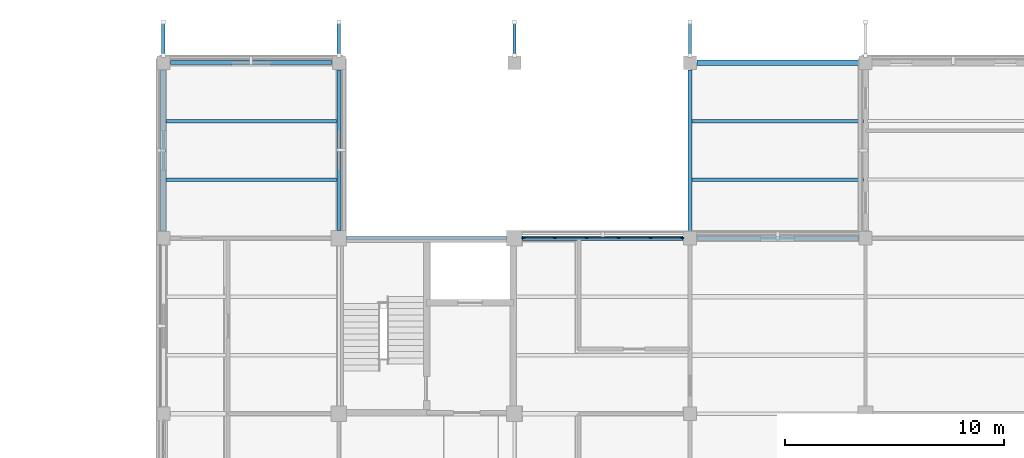
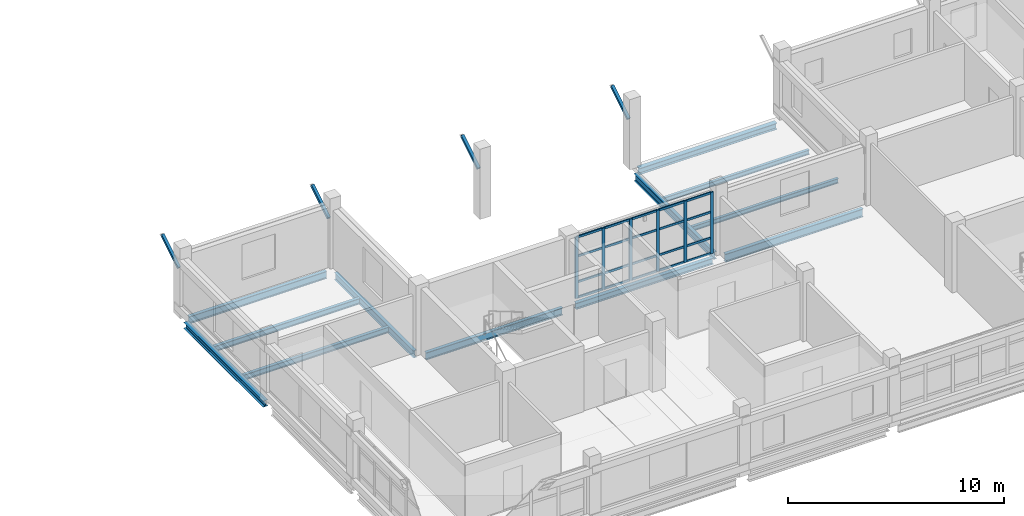
# One storey, part 12 of 35: 30 members, 12 beams, 1 element without a shape of its own.
"""IFC4 building model written with IfcOpenShell, lengths in metres."""

from ifc_helpers import new_model, si_unit, derived_unit, direction, frame, origin, origin_2d, place, context, subcontext, project, spatial, rectangle, hollow_rectangle, i_section, extrude, material, layer, layer_set, material_profile, profile_set, type_object, element, aggregate, save


model = new_model("IFC4")

# Units and contexts
model_context = context("Model", 3, precision=1e-05, world=origin(), true_north=direction((0.0, 1.0)))
body_context = subcontext(model_context, "Body", "Model", "MODEL_VIEW")
ifc_project = project(units=[si_unit("LENGTHUNIT", "METRE"), si_unit("AREAUNIT", "SQUARE_METRE"), si_unit("VOLUMEUNIT", "CUBIC_METRE"), si_unit("PLANEANGLEUNIT", "RADIAN"), si_unit("MASSUNIT", "GRAM", prefix="KILO"), derived_unit("THERMALTRANSMITTANCEUNIT", [(si_unit("MASSUNIT", "GRAM", prefix="KILO"), 1), (si_unit("TIMEUNIT", "SECOND"), -3), (si_unit("THERMODYNAMICTEMPERATUREUNIT", "KELVIN"), -1)])], contexts=[model_context])

# Site, building, storey
site_placement = place(None, origin())
site = spatial("IfcSite", under=ifc_project, at=site_placement, CompositionType="ELEMENT")
building_placement = place(site_placement, origin())
building = spatial("IfcBuilding", under=site, at=building_placement, Name="Veyamyaing Civic Hall", CompositionType="ELEMENT")
storey_placement = place(building_placement, frame((0.0, 0.0, 21.780029296875)))
storey = spatial("IfcBuildingStorey", under=building, at=storey_placement, Name="L05", CompositionType="ELEMENT", Elevation=21.780029296875)

# Beams
ifc_material_1 = material(Name="Steel ASTM A992", Category="steel")
ifc_material_profile_1 = material_profile(ifc_material_1, i_section(OverallWidth=0.19189453125, OverallDepth=0.462890625, WebThickness=0.010498046875, FlangeThickness=0.017578125, FilletRadius=0.010009765625, at=origin_2d()), Name="W460X89")
ifc_profile_set_1 = profile_set([ifc_material_profile_1], Name="Steel ASTM A992")
beam_type_1 = type_object("IfcBeamType", Name="B-08", PredefinedType="BEAM", material=ifc_profile_set_1)
beam_1_placement = place(storey_placement, frame((152.324951171875, 104.0, -0.4814453125), z_axis=(1.0, 0.0, 0.0), x_axis=(0.0, 1.0, 0.0)))
element("IfcBeam", 1, at=beam_1_placement, inside=storey, type_object=beam_type_1, Name="Girder B-08 L05 Grid P 20-21", PredefinedType="BEAM", context=body_context, shape_type="SweptSolid", body=[
    extrude(i_section(OverallWidth=0.19189453125, OverallDepth=0.462890625, WebThickness=0.010498046875, FlangeThickness=0.017578125, FilletRadius=0.010009765625, at=origin_2d()), origin(), (0.0, 0.0, 1.0), 7.35009765625),
])
ifc_material_profile_2 = material_profile(ifc_material_1, i_section(OverallWidth=0.179931640625, OverallDepth=0.4130859375, WebThickness=0.009765625, FlangeThickness=0.01611328125, FilletRadius=0.010009765625, at=origin_2d()), Name="W410X74")
ifc_profile_set_2 = profile_set([ifc_material_profile_2], Name="Steel ASTM A992")
beam_type_2 = type_object("IfcBeamType", Name="B-10", PredefinedType="SPANDREL", material=ifc_profile_set_2)
beam_2_placement = place(storey_placement, frame((136.35009765625, 104.0, -0.431640625), z_axis=(1.0, 0.0, 0.0), x_axis=(0.0, 1.0, 0.0)))
element("IfcBeam", 2, at=beam_2_placement, inside=storey, type_object=beam_type_2, Name="Girder B-10 L05 Grid P 18-19", PredefinedType="SPANDREL", context=body_context, shape_type="SweptSolid", body=[
    extrude(i_section(OverallWidth=0.179931640625, OverallDepth=0.4130859375, WebThickness=0.009765625, FlangeThickness=0.01611328125, FilletRadius=0.010009765625, at=origin_2d()), origin(), (0.0, 0.0, 1.0), 7.2998046875),
])
beam_3_placement = place(storey_placement, frame((128.324951171875, 112.0, -0.431640625), z_axis=(1.0, 0.0, 0.0), x_axis=(0.0, 1.0, 0.0)))
element("IfcBeam", 3, at=beam_3_placement, inside=storey, type_object=beam_type_2, Name="Girder B-10 L05 Grid Q 17-18", PredefinedType="SPANDREL", context=body_context, shape_type="SweptSolid", body=[
    extrude(i_section(OverallWidth=0.179931640625, OverallDepth=0.4130859375, WebThickness=0.009765625, FlangeThickness=0.01611328125, FilletRadius=0.010009765625, at=origin_2d()), origin(), (0.0, 0.0, 1.0), 7.35009765625),
])
beam_4_placement = place(storey_placement, frame((136.0, 104.35009765625, -0.431640625), z_axis=(0.0, 1.0, 0.0), x_axis=(-1.0, 0.0, 0.0)))
element("IfcBeam", 4, at=beam_4_placement, inside=storey, type_object=beam_type_2, Name="Girder B-10 L05 Grid 18 P-Q", PredefinedType="SPANDREL", context=body_context, shape_type="SweptSolid", body=[
    extrude(i_section(OverallWidth=0.179931640625, OverallDepth=0.4130859375, WebThickness=0.009765625, FlangeThickness=0.01611328125, FilletRadius=0.010009765625, at=origin_2d()), origin(), (0.0, 0.0, 1.0), 7.324951171875),
])
ifc_material_profile_3 = material_profile(ifc_material_1, i_section(OverallWidth=0.2041015625, OverallDepth=0.35009765625, WebThickness=0.0078125, FlangeThickness=0.01513671875, FilletRadius=0.010009765625, at=origin_2d()), Name="W360X72")
ifc_profile_set_3 = profile_set([ifc_material_profile_3], Name="Steel ASTM A992")
beam_type_3 = type_object("IfcBeamType", Name="B-11", PredefinedType="SPANDREL", material=ifc_profile_set_3)
beam_5_placement = place(storey_placement, frame((144.35009765625, 104.0, -0.400146484375), z_axis=(1.0, 0.0, 0.0), x_axis=(0.0, 1.0, 0.0)))
element("IfcBeam", 5, at=beam_5_placement, inside=storey, type_object=beam_type_3, Name="Girder B-11 L05 Grid P 19-20", PredefinedType="SPANDREL", context=body_context, shape_type="SweptSolid", body=[
    extrude(i_section(OverallWidth=0.2041015625, OverallDepth=0.35009765625, WebThickness=0.0078125, FlangeThickness=0.01513671875, FilletRadius=0.010009765625, at=origin_2d()), origin(), (0.0, 0.0, 1.0), 7.324951171875),
])
ifc_material_profile_4 = material_profile(ifc_material_1, i_section(OverallWidth=0.180908203125, OverallDepth=0.4169921875, WebThickness=0.010986328125, FlangeThickness=0.018310546875, FilletRadius=0.010009765625, at=origin_2d()), Name="W410X85")
ifc_profile_set_4 = profile_set([ifc_material_profile_4], Name="Steel ASTM A992")
beam_type_4 = type_object("IfcBeamType", Name="B-19", PredefinedType="SPANDREL", material=ifc_profile_set_4)
beam_6_placement = place(storey_placement, frame((152.0, 104.324951171875, -0.45849609375), z_axis=(0.0, 1.0, 0.0), x_axis=(-1.0, 0.0, 0.0)))
element("IfcBeam", 6, at=beam_6_placement, inside=storey, type_object=beam_type_4, Name="Girder B-19 L05 Grid 20 P-Q", PredefinedType="SPANDREL", context=body_context, shape_type="SweptSolid", body=[
    extrude(i_section(OverallWidth=0.180908203125, OverallDepth=0.4169921875, WebThickness=0.010986328125, FlangeThickness=0.018310546875, FilletRadius=0.010009765625, at=origin_2d()), origin(), (0.0, 0.0, 1.0), 7.35009765625),
])
ifc_material_profile_5 = material_profile(ifc_material_1, i_section(OverallWidth=0.25390625, OverallDepth=0.35302734375, WebThickness=0.009521484375, FlangeThickness=0.016357421875, FilletRadius=0.011962890625, at=origin_2d()), Name="W360X91")
ifc_profile_set_5 = profile_set([ifc_material_profile_5], Name="Steel ASTM A992")
beam_type_5 = type_object("IfcBeamType", Name="B-20", PredefinedType="SPANDREL", material=ifc_profile_set_5)
for number, where, z_axis, x_axis, name in (
    (7, (152.324951171875, 112.0, -0.426513671875), (1.0, 0.0, 0.0), (0.0, 1.0, 0.0), "Girder B-20 L05 Grid Q 20-21"),
    (8, (128.0, 104.324951171875, -0.401611328125), (0.0, 1.0, 0.0), (-1.0, 0.0, 0.0), "Girder B-20 L05 Grid 17 P-Q"),
):
    element("IfcBeam", number, at=place(storey_placement, frame(where, z_axis=z_axis, x_axis=x_axis)), inside=storey, type_object=beam_type_5, Name=name, PredefinedType="SPANDREL", context=body_context, shape_type="SweptSolid", body=[
        extrude(i_section(OverallWidth=0.25390625, OverallDepth=0.35302734375, WebThickness=0.009521484375, FlangeThickness=0.016357421875, FilletRadius=0.011962890625, at=origin_2d()), origin(), (0.0, 0.0, 1.0), 7.35009765625),
    ])

# Curtain wall, members
ifc_material_2 = material(Name="Anodised aluminium 6063-T6", Category="aluminium")
ifc_layer = layer(ifc_material_2, 0.159912109375, Name="Anodised aluminium 6063-T6")
ifc_layer_set = layer_set([ifc_layer], Name="Anodised aluminium 6063-T6")
curtain_wall_type = type_object("IfcCurtainWallType", Name="CW-09", PredefinedType="NOTDEFINED", material=ifc_layer_set)
curtain_wall_placement = place(storey_placement, origin())
curtain_wall = element("IfcCurtainWall", 9, at=curtain_wall_placement, inside=storey, type_object=curtain_wall_type, Name="Unitized curtain wall CW-09 L05 N 19.13", PredefinedType="NOTDEFINED")
ifc_material_profile_6 = material_profile(ifc_material_2, rectangle(XDim=0.06494140625, YDim=0.159912109375, at=origin_2d()), Name="ALU-MUL-65X160")
ifc_profile_set_6 = profile_set([ifc_material_profile_6], Name="Anodised aluminium 6063-T6")
member_type_1 = type_object("IfcMemberType", Name="CWM-01", PredefinedType="MULLION", material=ifc_profile_set_6)
member_1_placement = place(storey_placement, frame((144.41259765625, 104.0, 0.0), z_axis=(0.0, 0.0, 1.0), x_axis=(0.0, 1.0, 0.0)))
member_1 = element("IfcMember", 10, at=member_1_placement, type_object=member_type_1, Name="CW-09 mullion 1", PredefinedType="MULLION", context=body_context, shape_type="SweptSolid", body=[
    extrude(rectangle(XDim=0.06494140625, YDim=0.159912109375, at=origin_2d()), origin(), (0.0, 0.0, 1.0), 3.468994140625),
])
member_2_placement = place(storey_placement, frame((145.837890625, 104.0, 0.0), z_axis=(0.0, 0.0, 1.0), x_axis=(0.0, 1.0, 0.0)))
member_2 = element("IfcMember", 11, at=member_2_placement, type_object=member_type_1, Name="CW-09 mullion 2", PredefinedType="MULLION", context=body_context, shape_type="SweptSolid", body=[
    extrude(rectangle(XDim=0.06494140625, YDim=0.159912109375, at=origin_2d()), origin(), (0.0, 0.0, 1.0), 3.468994140625),
])
member_3_placement = place(storey_placement, frame((147.2958984375, 104.0, 0.0), z_axis=(0.0, 0.0, 1.0), x_axis=(0.0, 1.0, 0.0)))
member_3 = element("IfcMember", 12, at=member_3_placement, type_object=member_type_1, Name="CW-09 mullion 3", PredefinedType="MULLION", context=body_context, shape_type="SweptSolid", body=[
    extrude(rectangle(XDim=0.06494140625, YDim=0.159912109375, at=origin_2d()), origin(), (0.0, 0.0, 1.0), 3.468994140625),
])
member_4_placement = place(storey_placement, frame((148.75390625, 104.0, 0.0), z_axis=(0.0, 0.0, 1.0), x_axis=(0.0, 1.0, 0.0)))
member_4 = element("IfcMember", 13, at=member_4_placement, type_object=member_type_1, Name="CW-09 mullion 4", PredefinedType="MULLION", context=body_context, shape_type="SweptSolid", body=[
    extrude(rectangle(XDim=0.06494140625, YDim=0.159912109375, at=origin_2d()), origin(), (0.0, 0.0, 1.0), 3.468994140625),
])
member_5_placement = place(storey_placement, frame((150.2119140625, 104.0, 0.0), z_axis=(0.0, 0.0, 1.0), x_axis=(0.0, 1.0, 0.0)))
member_5 = element("IfcMember", 14, at=member_5_placement, type_object=member_type_1, Name="CW-09 mullion 5", PredefinedType="MULLION", context=body_context, shape_type="SweptSolid", body=[
    extrude(rectangle(XDim=0.06494140625, YDim=0.159912109375, at=origin_2d()), origin(), (0.0, 0.0, 1.0), 3.468994140625),
])
member_6_placement = place(storey_placement, frame((151.637451171875, 104.0, 0.0), z_axis=(0.0, 0.0, 1.0), x_axis=(0.0, 1.0, 0.0)))
member_6 = element("IfcMember", 15, at=member_6_placement, type_object=member_type_1, Name="CW-09 mullion 6", PredefinedType="MULLION", context=body_context, shape_type="SweptSolid", body=[
    extrude(rectangle(XDim=0.06494140625, YDim=0.159912109375, at=origin_2d()), origin(), (0.0, 0.0, 1.0), 3.468994140625),
])
ifc_material_profile_7 = material_profile(ifc_material_2, rectangle(XDim=0.06494140625, YDim=0.1201171875, at=origin_2d()), Name="ALU-TRN-65X120")
ifc_profile_set_7 = profile_set([ifc_material_profile_7], Name="Anodised aluminium 6063-T6")
member_type_2 = type_object("IfcMemberType", Name="CWT-01", PredefinedType="USERDEFINED", material=ifc_profile_set_7)
member_7_placement = place(storey_placement, frame((144.445068359375, 104.0, 0.032470703125), z_axis=(1.0, 0.0, 0.0), x_axis=(0.0, 1.0, 0.0)))
member_7 = element("IfcMember", 16, at=member_7_placement, type_object=member_type_2, Name="CW-09 transom 1.1", ObjectType="TRANSOM", PredefinedType="USERDEFINED", context=body_context, shape_type="SweptSolid", body=[
    extrude(rectangle(XDim=0.06494140625, YDim=0.1201171875, at=origin_2d()), origin(), (0.0, 0.0, 1.0), 1.3603515625),
])
member_8_placement = place(storey_placement, frame((144.445068359375, 104.0, 0.89990234375), z_axis=(1.0, 0.0, 0.0), x_axis=(0.0, 1.0, 0.0)))
member_8 = element("IfcMember", 17, at=member_8_placement, type_object=member_type_2, Name="CW-09 transom 1.2", ObjectType="TRANSOM", PredefinedType="USERDEFINED", context=body_context, shape_type="SweptSolid", body=[
    extrude(rectangle(XDim=0.06494140625, YDim=0.1201171875, at=origin_2d()), origin(), (0.0, 0.0, 1.0), 1.3603515625),
])
member_9_placement = place(storey_placement, frame((144.445068359375, 104.0, 2.35888671875), z_axis=(1.0, 0.0, 0.0), x_axis=(0.0, 1.0, 0.0)))
member_9 = element("IfcMember", 18, at=member_9_placement, type_object=member_type_2, Name="CW-09 transom 1.3", ObjectType="TRANSOM", PredefinedType="USERDEFINED", context=body_context, shape_type="SweptSolid", body=[
    extrude(rectangle(XDim=0.06494140625, YDim=0.1201171875, at=origin_2d()), origin(), (0.0, 0.0, 1.0), 1.3603515625),
])
member_10_placement = place(storey_placement, frame((144.445068359375, 104.0, 3.4365234375), z_axis=(1.0, 0.0, 0.0), x_axis=(0.0, 1.0, 0.0)))
member_10 = element("IfcMember", 19, at=member_10_placement, type_object=member_type_2, Name="CW-09 transom 1.4", ObjectType="TRANSOM", PredefinedType="USERDEFINED", context=body_context, shape_type="SweptSolid", body=[
    extrude(rectangle(XDim=0.06494140625, YDim=0.1201171875, at=origin_2d()), origin(), (0.0, 0.0, 1.0), 1.3603515625),
])
member_11_placement = place(storey_placement, frame((145.87060546875, 104.0, 0.032470703125), z_axis=(1.0, 0.0, 0.0), x_axis=(0.0, 1.0, 0.0)))
member_11 = element("IfcMember", 20, at=member_11_placement, type_object=member_type_2, Name="CW-09 transom 2.1", ObjectType="TRANSOM", PredefinedType="USERDEFINED", context=body_context, shape_type="SweptSolid", body=[
    extrude(rectangle(XDim=0.06494140625, YDim=0.1201171875, at=origin_2d()), origin(), (0.0, 0.0, 1.0), 1.392822265625),
])
member_12_placement = place(storey_placement, frame((145.87060546875, 104.0, 0.89990234375), z_axis=(1.0, 0.0, 0.0), x_axis=(0.0, 1.0, 0.0)))
member_12 = element("IfcMember", 21, at=member_12_placement, type_object=member_type_2, Name="CW-09 transom 2.2", ObjectType="TRANSOM", PredefinedType="USERDEFINED", context=body_context, shape_type="SweptSolid", body=[
    extrude(rectangle(XDim=0.06494140625, YDim=0.1201171875, at=origin_2d()), origin(), (0.0, 0.0, 1.0), 1.392822265625),
])
member_13_placement = place(storey_placement, frame((145.87060546875, 104.0, 2.35888671875), z_axis=(1.0, 0.0, 0.0), x_axis=(0.0, 1.0, 0.0)))
member_13 = element("IfcMember", 22, at=member_13_placement, type_object=member_type_2, Name="CW-09 transom 2.3", ObjectType="TRANSOM", PredefinedType="USERDEFINED", context=body_context, shape_type="SweptSolid", body=[
    extrude(rectangle(XDim=0.06494140625, YDim=0.1201171875, at=origin_2d()), origin(), (0.0, 0.0, 1.0), 1.392822265625),
])
member_14_placement = place(storey_placement, frame((145.87060546875, 104.0, 3.4365234375), z_axis=(1.0, 0.0, 0.0), x_axis=(0.0, 1.0, 0.0)))
member_14 = element("IfcMember", 23, at=member_14_placement, type_object=member_type_2, Name="CW-09 transom 2.4", ObjectType="TRANSOM", PredefinedType="USERDEFINED", context=body_context, shape_type="SweptSolid", body=[
    extrude(rectangle(XDim=0.06494140625, YDim=0.1201171875, at=origin_2d()), origin(), (0.0, 0.0, 1.0), 1.392822265625),
])
member_15_placement = place(storey_placement, frame((147.32861328125, 104.0, 0.032470703125), z_axis=(1.0, 0.0, 0.0), x_axis=(0.0, 1.0, 0.0)))
member_15 = element("IfcMember", 24, at=member_15_placement, type_object=member_type_2, Name="CW-09 transom 3.1", ObjectType="TRANSOM", PredefinedType="USERDEFINED", context=body_context, shape_type="SweptSolid", body=[
    extrude(rectangle(XDim=0.06494140625, YDim=0.1201171875, at=origin_2d()), origin(), (0.0, 0.0, 1.0), 1.392822265625),
])
member_16_placement = place(storey_placement, frame((147.32861328125, 104.0, 0.89990234375), z_axis=(1.0, 0.0, 0.0), x_axis=(0.0, 1.0, 0.0)))
member_16 = element("IfcMember", 25, at=member_16_placement, type_object=member_type_2, Name="CW-09 transom 3.2", ObjectType="TRANSOM", PredefinedType="USERDEFINED", context=body_context, shape_type="SweptSolid", body=[
    extrude(rectangle(XDim=0.06494140625, YDim=0.1201171875, at=origin_2d()), origin(), (0.0, 0.0, 1.0), 1.392822265625),
])
member_17_placement = place(storey_placement, frame((147.32861328125, 104.0, 2.35888671875), z_axis=(1.0, 0.0, 0.0), x_axis=(0.0, 1.0, 0.0)))
member_17 = element("IfcMember", 26, at=member_17_placement, type_object=member_type_2, Name="CW-09 transom 3.3", ObjectType="TRANSOM", PredefinedType="USERDEFINED", context=body_context, shape_type="SweptSolid", body=[
    extrude(rectangle(XDim=0.06494140625, YDim=0.1201171875, at=origin_2d()), origin(), (0.0, 0.0, 1.0), 1.392822265625),
])
member_18_placement = place(storey_placement, frame((147.32861328125, 104.0, 3.4365234375), z_axis=(1.0, 0.0, 0.0), x_axis=(0.0, 1.0, 0.0)))
member_18 = element("IfcMember", 27, at=member_18_placement, type_object=member_type_2, Name="CW-09 transom 3.4", ObjectType="TRANSOM", PredefinedType="USERDEFINED", context=body_context, shape_type="SweptSolid", body=[
    extrude(rectangle(XDim=0.06494140625, YDim=0.1201171875, at=origin_2d()), origin(), (0.0, 0.0, 1.0), 1.392822265625),
])
member_19_placement = place(storey_placement, frame((148.78662109375, 104.0, 0.032470703125), z_axis=(1.0, 0.0, 0.0), x_axis=(0.0, 1.0, 0.0)))
member_19 = element("IfcMember", 28, at=member_19_placement, type_object=member_type_2, Name="CW-09 transom 4.1", ObjectType="TRANSOM", PredefinedType="USERDEFINED", context=body_context, shape_type="SweptSolid", body=[
    extrude(rectangle(XDim=0.06494140625, YDim=0.1201171875, at=origin_2d()), origin(), (0.0, 0.0, 1.0), 1.392822265625),
])
member_20_placement = place(storey_placement, frame((148.78662109375, 104.0, 0.89990234375), z_axis=(1.0, 0.0, 0.0), x_axis=(0.0, 1.0, 0.0)))
member_20 = element("IfcMember", 29, at=member_20_placement, type_object=member_type_2, Name="CW-09 transom 4.2", ObjectType="TRANSOM", PredefinedType="USERDEFINED", context=body_context, shape_type="SweptSolid", body=[
    extrude(rectangle(XDim=0.06494140625, YDim=0.1201171875, at=origin_2d()), origin(), (0.0, 0.0, 1.0), 1.392822265625),
])
member_21_placement = place(storey_placement, frame((148.78662109375, 104.0, 2.35888671875), z_axis=(1.0, 0.0, 0.0), x_axis=(0.0, 1.0, 0.0)))
member_21 = element("IfcMember", 30, at=member_21_placement, type_object=member_type_2, Name="CW-09 transom 4.3", ObjectType="TRANSOM", PredefinedType="USERDEFINED", context=body_context, shape_type="SweptSolid", body=[
    extrude(rectangle(XDim=0.06494140625, YDim=0.1201171875, at=origin_2d()), origin(), (0.0, 0.0, 1.0), 1.392822265625),
])
member_22_placement = place(storey_placement, frame((148.78662109375, 104.0, 3.4365234375), z_axis=(1.0, 0.0, 0.0), x_axis=(0.0, 1.0, 0.0)))
member_22 = element("IfcMember", 31, at=member_22_placement, type_object=member_type_2, Name="CW-09 transom 4.4", ObjectType="TRANSOM", PredefinedType="USERDEFINED", context=body_context, shape_type="SweptSolid", body=[
    extrude(rectangle(XDim=0.06494140625, YDim=0.1201171875, at=origin_2d()), origin(), (0.0, 0.0, 1.0), 1.392822265625),
])
member_23_placement = place(storey_placement, frame((150.244384765625, 104.0, 0.032470703125), z_axis=(1.0, 0.0, 0.0), x_axis=(0.0, 1.0, 0.0)))
member_23 = element("IfcMember", 32, at=member_23_placement, type_object=member_type_2, Name="CW-09 transom 5.1", ObjectType="TRANSOM", PredefinedType="USERDEFINED", context=body_context, shape_type="SweptSolid", body=[
    extrude(rectangle(XDim=0.06494140625, YDim=0.1201171875, at=origin_2d()), origin(), (0.0, 0.0, 1.0), 1.360595703125),
])
member_24_placement = place(storey_placement, frame((150.244384765625, 104.0, 0.89990234375), z_axis=(1.0, 0.0, 0.0), x_axis=(0.0, 1.0, 0.0)))
member_24 = element("IfcMember", 33, at=member_24_placement, type_object=member_type_2, Name="CW-09 transom 5.2", ObjectType="TRANSOM", PredefinedType="USERDEFINED", context=body_context, shape_type="SweptSolid", body=[
    extrude(rectangle(XDim=0.06494140625, YDim=0.1201171875, at=origin_2d()), origin(), (0.0, 0.0, 1.0), 1.360595703125),
])
member_25_placement = place(storey_placement, frame((150.244384765625, 104.0, 2.35888671875), z_axis=(1.0, 0.0, 0.0), x_axis=(0.0, 1.0, 0.0)))
member_25 = element("IfcMember", 34, at=member_25_placement, type_object=member_type_2, Name="CW-09 transom 5.3", ObjectType="TRANSOM", PredefinedType="USERDEFINED", context=body_context, shape_type="SweptSolid", body=[
    extrude(rectangle(XDim=0.06494140625, YDim=0.1201171875, at=origin_2d()), origin(), (0.0, 0.0, 1.0), 1.360595703125),
])
member_26_placement = place(storey_placement, frame((150.244384765625, 104.0, 3.4365234375), z_axis=(1.0, 0.0, 0.0), x_axis=(0.0, 1.0, 0.0)))
member_26 = element("IfcMember", 35, at=member_26_placement, type_object=member_type_2, Name="CW-09 transom 5.4", ObjectType="TRANSOM", PredefinedType="USERDEFINED", context=body_context, shape_type="SweptSolid", body=[
    extrude(rectangle(XDim=0.06494140625, YDim=0.1201171875, at=origin_2d()), origin(), (0.0, 0.0, 1.0), 1.360595703125),
])
aggregate(curtain_wall, [member_1, member_2, member_3, member_4, member_5, member_6, member_7, member_8, member_9, member_10, member_11, member_12, member_13, member_14, member_15, member_16, member_17, member_18, member_19, member_20, member_21, member_22, member_23, member_24, member_25, member_26])

# Beams
ifc_material_profile_8 = material_profile(ifc_material_1, i_section(OverallWidth=0.1669921875, OverallDepth=0.318115234375, WebThickness=0.007568359375, FlangeThickness=0.01318359375, FilletRadius=0.010009765625, at=origin_2d()), Name="W310X52")
ifc_profile_set_8 = profile_set([ifc_material_profile_8], Name="Steel ASTM A992")
beam_type_6 = type_object("IfcBeamType", Name="J-04", PredefinedType="JOIST", material=ifc_profile_set_8)
for number, where, z_axis, x_axis, name in (
    (36, (128.125, 106.666748046875, -0.384033203125), (1.0, 0.0, 0.0), (0.0, 1.0, 0.0), "Composite floor joist J-04 L05 17.14.1"),
    (37, (128.125, 109.333251953125, -0.384033203125), (1.0, 0.0, 0.0), (0.0, 1.0, 0.0), "Composite floor joist J-04 L05 17.14.2"),
):
    element("IfcBeam", number, at=place(storey_placement, frame(where, z_axis=z_axis, x_axis=x_axis)), inside=storey, type_object=beam_type_6, Name=name, PredefinedType="JOIST", context=body_context, shape_type="SweptSolid", body=[
        extrude(i_section(OverallWidth=0.1669921875, OverallDepth=0.318115234375, WebThickness=0.007568359375, FlangeThickness=0.01318359375, FilletRadius=0.010009765625, at=origin_2d()), origin(), (0.0, 0.0, 1.0), 7.787109375),
    ])
ifc_material_profile_9 = material_profile(ifc_material_1, i_section(OverallWidth=0.14794921875, OverallDepth=0.26611328125, WebThickness=0.007568359375, FlangeThickness=0.012939453125, FilletRadius=0.010009765625, at=origin_2d()), Name="W250X45")
ifc_profile_set_9 = profile_set([ifc_material_profile_9], Name="Steel ASTM A992")
beam_type_7 = type_object("IfcBeamType", Name="J-07", PredefinedType="JOIST", material=ifc_profile_set_9)
for number, where, z_axis, x_axis, name in (
    (38, (152.08837890625, 106.666748046875, -0.383056640625), (1.0, 0.0, 0.0), (0.0, 1.0, 0.0), "Composite floor joist J-07 L05 20.14.1"),
    (39, (152.08837890625, 109.333251953125, -0.383056640625), (1.0, 0.0, 0.0), (0.0, 1.0, 0.0), "Composite floor joist J-07 L05 20.14.2"),
):
    element("IfcBeam", number, at=place(storey_placement, frame(where, z_axis=z_axis, x_axis=x_axis)), inside=storey, type_object=beam_type_7, Name=name, PredefinedType="JOIST", context=body_context, shape_type="SweptSolid", body=[
        extrude(i_section(OverallWidth=0.14794921875, OverallDepth=0.26611328125, WebThickness=0.007568359375, FlangeThickness=0.012939453125, FilletRadius=0.010009765625, at=origin_2d()), origin(), (0.0, 0.0, 1.0), 7.817626953125),
    ])

# Members
ifc_material_3 = material(Name="Steel S355J2", Category="steel")
ifc_material_profile_10 = material_profile(ifc_material_3, hollow_rectangle(XDim=0.152099609375, YDim=0.152099609375, WallThickness=0.009521484375, at=origin_2d()), Name="HSS152X152X9.5")
ifc_profile_set_10 = profile_set([ifc_material_profile_10], Name="Steel S355J2")
member_type_3 = type_object("IfcMemberType", Name="SR-01", PredefinedType="STRUT", material=ifc_profile_set_10)
for number, where, z_axis, x_axis, name in (
    (40, (128.0, 112.320068359375, 2.409912109375), (0.0, 0.852059527287, 0.523444898685), (-1.0, 0.0, 0.0), "Sacak diagonal steel eave strut SR-01 V4-NE.16"),
    (41, (136.0, 112.320068359375, 2.409912109375), (0.0, 0.852059527287, 0.523444898685), (-1.0, 0.0, 0.0), "Sacak diagonal steel eave strut SR-01 V4-NE.17"),
    (42, (144.0, 112.320068359375, 2.409912109375), (0.0, 0.852059527287, 0.523444898685), (-1.0, 0.0, 0.0), "Sacak diagonal steel eave strut SR-01 V4-NE.18"),
    (43, (152.0, 112.320068359375, 2.409912109375), (0.0, 0.852059527287, 0.523444898685), (-1.0, 0.0, 0.0), "Sacak diagonal steel eave strut SR-01 V4-NE.19"),
):
    element("IfcMember", number, at=place(storey_placement, frame(where, z_axis=z_axis, x_axis=x_axis)), inside=storey, type_object=member_type_3, Name=name, PredefinedType="STRUT", context=body_context, shape_type="SweptSolid", body=[
        extrude(hollow_rectangle(XDim=0.152099609375, YDim=0.152099609375, WallThickness=0.009521484375, at=origin_2d()), origin(), (0.0, 0.0, 1.0), 1.795654296875),
    ])

save(model, "model.ifc")
